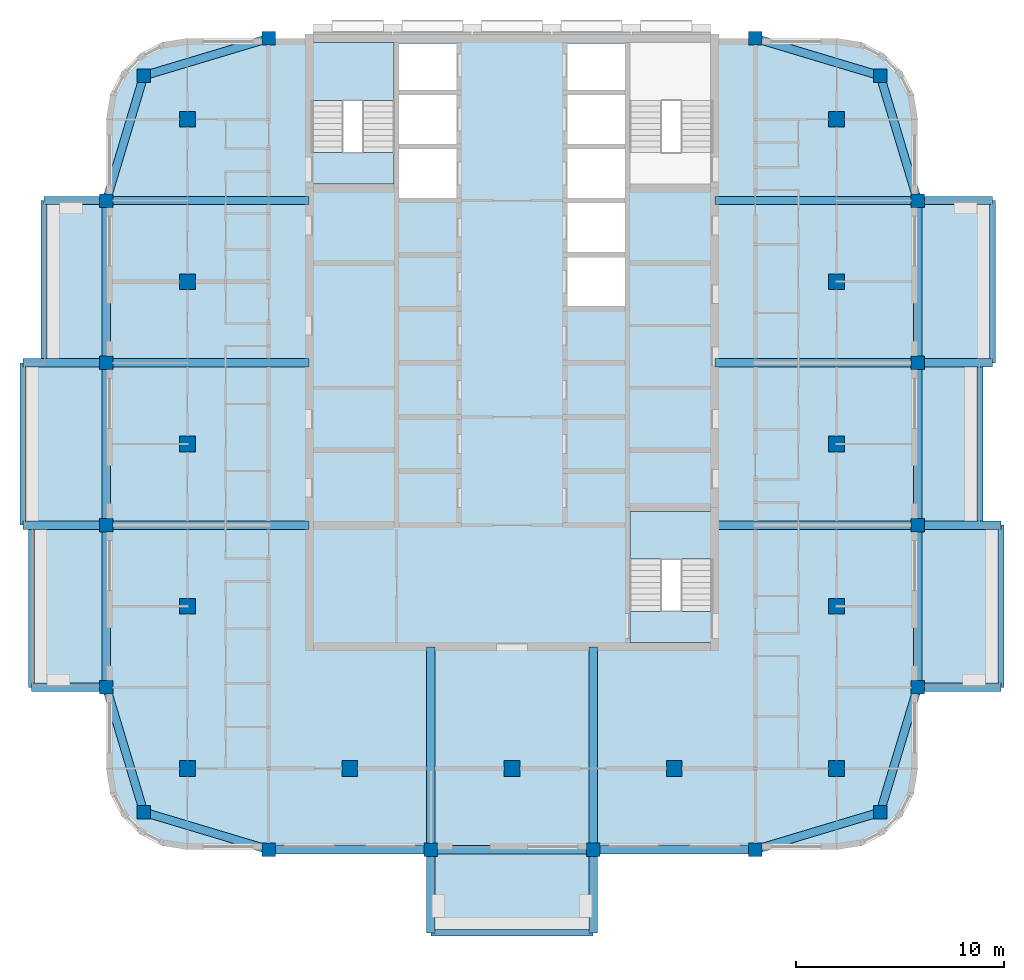
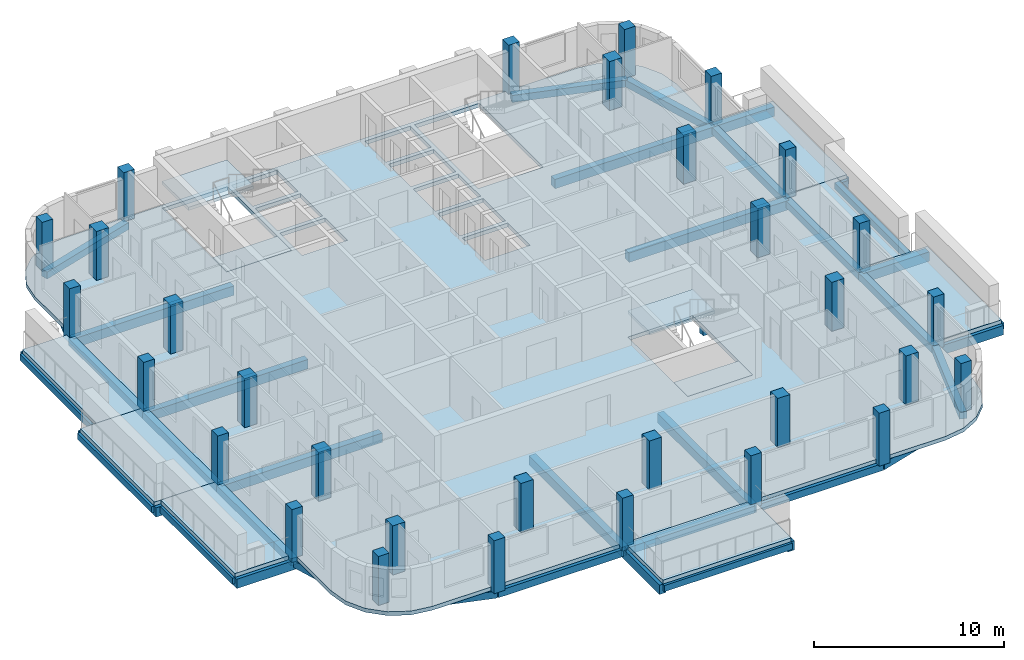
# One storey, part 1 of 13: 42 beams, 31 columns, 12 slabs, 2 elements without a shape of their own.
"""IFC4 building model written with IfcOpenShell, lengths in metres."""

from ifc_helpers import new_model, si_unit, direction, frame, origin, origin_2d, place, context, subcontext, project, spatial, polyline, rectangle, outline, extrude, material, layer, layer_set, material_profile, profile_set, type_object, element, aggregate, save


model = new_model("IFC4")

# Units and contexts
model_context = context("Model", 3, precision=1e-05, world=origin(), true_north=direction((0.0, 1.0)))
body_context = subcontext(model_context, "Body", "Model", "MODEL_VIEW")
ifc_project = project(units=[si_unit("LENGTHUNIT", "METRE"), si_unit("AREAUNIT", "SQUARE_METRE"), si_unit("VOLUMEUNIT", "CUBIC_METRE"), si_unit("PLANEANGLEUNIT", "RADIAN"), si_unit("MASSUNIT", "GRAM", prefix="KILO")], contexts=[model_context])

# Site, building, storey
site_placement = place(None, origin())
site = spatial("IfcSite", under=ifc_project, at=site_placement, CompositionType="ELEMENT")
building_placement = place(site_placement, origin())
building = spatial("IfcBuilding", under=site, at=building_placement, Name="Ludao Terraces", CompositionType="ELEMENT")
storey_placement = place(building_placement, frame((0.0, 0.0, 252.800048828125)))
storey = spatial("IfcBuildingStorey", under=building, at=storey_placement, Name="L69", CompositionType="ELEMENT", Elevation=252.800048828125)

# Columns
ifc_material = material(Name="Concrete C40", Category="concrete")
ifc_material_profile_1 = material_profile(ifc_material, rectangle(XDim=0.64990234375, YDim=0.64990234375, at=origin_2d()), Name="650 X 650")
ifc_profile_set_1 = profile_set([ifc_material_profile_1], Name="Concrete C40")
column_type_1 = type_object("IfcColumnType", Name="RC column 650x650 C40", PredefinedType="COLUMN", material=ifc_profile_set_1)
for number, where, z_axis, x_axis, name in (
    (1, (67.300048828125, 47.300048828125, -0.25), (0.0, 0.0, 1.0), (1.0, 0.0, 0.0), "Column L69 C0057x0057"),
    (2, (102.699951171875, 47.300048828125, -0.25), (0.0, 0.0, 1.0), (1.0, 0.0, 0.0), "Column L69 C0411x0057"),
    (3, (67.300048828125, 82.699951171875, -0.25), (0.0, 0.0, 1.0), (1.0, 0.0, 0.0), "Column L69 C0057x0411"),
    (4, (102.699951171875, 82.699951171875, -0.25), (0.0, 0.0, 1.0), (1.0, 0.0, 0.0), "Column L69 C0411x0411"),
    (5, (65.5, 53.300048828125, -0.25), (0.0, 0.0, 1.0), (1.0, 0.0, 0.0), "Column L69 W0039x0117"),
    (6, (104.5, 53.300048828125, -0.25), (0.0, 0.0, 1.0), (1.0, 0.0, 0.0), "Column L69 W0429x0117"),
    (7, (73.300048828125, 45.5, -0.25), (0.0, 0.0, 1.0), (1.0, 0.0, 0.0), "Column L69 W0117x0039"),
    (8, (73.300048828125, 84.5, -0.25), (0.0, 0.0, 1.0), (1.0, 0.0, 0.0), "Column L69 W0117x0429"),
    (9, (65.5, 61.10009765625, -0.25), (0.0, 0.0, 1.0), (1.0, 0.0, 0.0), "Column L69 W0039x0195"),
    (10, (104.5, 61.10009765625, -0.25), (0.0, 0.0, 1.0), (1.0, 0.0, 0.0), "Column L69 W0429x0195"),
    (11, (81.10009765625, 45.5, -0.25), (0.0, 0.0, 1.0), (1.0, 0.0, 0.0), "Column L69 W0195x0039"),
    (12, (65.5, 68.89990234375, -0.25), (0.0, 0.0, 1.0), (1.0, 0.0, 0.0), "Column L69 W0039x0273"),
    (13, (104.5, 68.89990234375, -0.25), (0.0, 0.0, 1.0), (1.0, 0.0, 0.0), "Column L69 W0429x0273"),
    (14, (88.89990234375, 45.5, -0.25), (0.0, 0.0, 1.0), (1.0, 0.0, 0.0), "Column L69 W0273x0039"),
    (15, (65.5, 76.699951171875, -0.25), (0.0, 0.0, 1.0), (1.0, 0.0, 0.0), "Column L69 W0039x0351"),
    (16, (104.5, 76.699951171875, -0.25), (0.0, 0.0, 1.0), (1.0, 0.0, 0.0), "Column L69 W0429x0351"),
    (17, (96.699951171875, 45.5, -0.25), (0.0, 0.0, 1.0), (1.0, 0.0, 0.0), "Column L69 W0351x0039"),
    (18, (96.699951171875, 84.5, -0.25), (0.0, 0.0, 1.0), (1.0, 0.0, 0.0), "Column L69 W0351x0429"),
):
    element("IfcColumn", number, at=place(storey_placement, frame(where, z_axis=z_axis, x_axis=x_axis)), inside=storey, type_object=column_type_1, Name=name, PredefinedType="COLUMN", context=body_context, shape_type="SweptSolid", body=[
        extrude(rectangle(XDim=0.64990234375, YDim=0.64990234375, at=origin_2d()), origin(), (0.0, 0.0, 1.0), 3.39990234375),
    ])
ifc_material_profile_2 = material_profile(ifc_material, rectangle(XDim=0.75, YDim=0.75, at=origin_2d()), Name="750 X 750")
ifc_profile_set_2 = profile_set([ifc_material_profile_2], Name="Concrete C40")
column_type_2 = type_object("IfcColumnType", Name="RC column 750x750 C40", PredefinedType="COLUMN", material=ifc_profile_set_2)
for number, where, z_axis, x_axis, name in (
    (19, (69.39990234375, 49.39990234375, -0.25), (0.0, 0.0, 1.0), (1.0, 0.0, 0.0), "Column L69 S0078x0078"),
    (20, (69.39990234375, 57.199951171875, -0.25), (0.0, 0.0, 1.0), (1.0, 0.0, 0.0), "Column L69 S0078x0156"),
    (21, (69.39990234375, 65.0, -0.25), (0.0, 0.0, 1.0), (1.0, 0.0, 0.0), "Column L69 S0078x0234"),
    (22, (69.39990234375, 72.800048828125, -0.25), (0.0, 0.0, 1.0), (1.0, 0.0, 0.0), "Column L69 S0078x0312"),
    (23, (69.39990234375, 80.60009765625, -0.25), (0.0, 0.0, 1.0), (1.0, 0.0, 0.0), "Column L69 S0078x0390"),
    (24, (77.199951171875, 49.39990234375, -0.25), (0.0, 0.0, 1.0), (1.0, 0.0, 0.0), "Column L69 S0156x0078"),
    (25, (85.0, 49.39990234375, -0.25), (0.0, 0.0, 1.0), (1.0, 0.0, 0.0), "Column L69 S0234x0078"),
    (26, (92.800048828125, 49.39990234375, -0.25), (0.0, 0.0, 1.0), (1.0, 0.0, 0.0), "Column L69 S0312x0078"),
    (27, (100.60009765625, 49.39990234375, -0.25), (0.0, 0.0, 1.0), (1.0, 0.0, 0.0), "Column L69 S0390x0078"),
    (28, (100.60009765625, 57.199951171875, -0.25), (0.0, 0.0, 1.0), (1.0, 0.0, 0.0), "Column L69 S0390x0156"),
    (29, (100.60009765625, 65.0, -0.25), (0.0, 0.0, 1.0), (1.0, 0.0, 0.0), "Column L69 S0390x0234"),
    (30, (100.60009765625, 72.800048828125, -0.25), (0.0, 0.0, 1.0), (1.0, 0.0, 0.0), "Column L69 S0390x0312"),
    (31, (100.60009765625, 80.60009765625, -0.25), (0.0, 0.0, 1.0), (1.0, 0.0, 0.0), "Column L69 S0390x0390"),
):
    element("IfcColumn", number, at=place(storey_placement, frame(where, z_axis=z_axis, x_axis=x_axis)), inside=storey, type_object=column_type_2, Name=name, PredefinedType="COLUMN", context=body_context, shape_type="SweptSolid", body=[
        extrude(rectangle(XDim=0.75, YDim=0.75, at=origin_2d()), origin(), (0.0, 0.0, 1.0), 3.39990234375),
    ])

# Beams
ifc_material_profile_3 = material_profile(ifc_material, rectangle(XDim=0.300048828125, YDim=0.39990234375, at=origin_2d()), Name="300 X 400")
ifc_profile_set_3 = profile_set([ifc_material_profile_3], Name="Concrete C40")
beam_type_1 = type_object("IfcBeamType", Name="RC beam 300x400 C40", PredefinedType="BEAM", material=ifc_profile_set_3)
beam_1_placement = place(storey_placement, frame((81.10009765625, 41.5, -0.449951171875), z_axis=(1.0, 0.0, 0.0), x_axis=(0.0, 1.0, 0.0)))
element("IfcBeam", 32, at=beam_1_placement, inside=storey, type_object=beam_type_1, Name="Balcony edge beam L69 S1", PredefinedType="BEAM", context=body_context, shape_type="SweptSolid", body=[
    extrude(rectangle(XDim=0.300048828125, YDim=0.39990234375, at=origin_2d()), origin(), (0.0, 0.0, 1.0), 7.7998046875),
])
beam_2_placement = place(storey_placement, frame((108.5, 53.300048828125, -0.449951171875), z_axis=(0.0, 1.0, 0.0), x_axis=(-1.0, 0.0, 0.0)))
element("IfcBeam", 33, at=beam_2_placement, inside=storey, type_object=beam_type_1, Name="Balcony edge beam L69 E1", PredefinedType="BEAM", context=body_context, shape_type="SweptSolid", body=[
    extrude(rectangle(XDim=0.300048828125, YDim=0.39990234375, at=origin_2d()), origin(), (0.0, 0.0, 1.0), 7.800048828125),
])
beam_3_placement = place(storey_placement, frame((107.5, 61.10009765625, -0.449951171875), z_axis=(0.0, 1.0, 0.0), x_axis=(-1.0, 0.0, 0.0)))
element("IfcBeam", 34, at=beam_3_placement, inside=storey, type_object=beam_type_1, Name="Balcony edge beam L69 E2", PredefinedType="BEAM", context=body_context, shape_type="SweptSolid", body=[
    extrude(rectangle(XDim=0.300048828125, YDim=0.39990234375, at=origin_2d()), origin(), (0.0, 0.0, 1.0), 7.7998046875),
])
for number, where, z_axis, x_axis, name in (
    (35, (108.10009765625, 68.89990234375, -0.449951171875), (0.0, 1.0, 0.0), (-1.0, 0.0, 0.0), "Balcony edge beam L69 E3"),
    (36, (61.89990234375, 53.300048828125, -0.449951171875), (0.0, 1.0, 0.0), (-1.0, 0.0, 0.0), "Balcony edge beam L69 W1"),
):
    element("IfcBeam", number, at=place(storey_placement, frame(where, z_axis=z_axis, x_axis=x_axis)), inside=storey, type_object=beam_type_1, Name=name, PredefinedType="BEAM", context=body_context, shape_type="SweptSolid", body=[
        extrude(rectangle(XDim=0.300048828125, YDim=0.39990234375, at=origin_2d()), origin(), (0.0, 0.0, 1.0), 7.800048828125),
    ])
beam_4_placement = place(storey_placement, frame((61.5, 61.10009765625, -0.449951171875), z_axis=(0.0, 1.0, 0.0), x_axis=(-1.0, 0.0, 0.0)))
element("IfcBeam", 37, at=beam_4_placement, inside=storey, type_object=beam_type_1, Name="Balcony edge beam L69 W2", PredefinedType="BEAM", context=body_context, shape_type="SweptSolid", body=[
    extrude(rectangle(XDim=0.300048828125, YDim=0.39990234375, at=origin_2d()), origin(), (0.0, 0.0, 1.0), 7.7998046875),
])
beam_5_placement = place(storey_placement, frame((62.5, 68.89990234375, -0.449951171875), z_axis=(0.0, 1.0, 0.0), x_axis=(-1.0, 0.0, 0.0)))
element("IfcBeam", 38, at=beam_5_placement, inside=storey, type_object=beam_type_1, Name="Balcony edge beam L69 W3", PredefinedType="BEAM", context=body_context, shape_type="SweptSolid", body=[
    extrude(rectangle(XDim=0.300048828125, YDim=0.39990234375, at=origin_2d()), origin(), (0.0, 0.0, 1.0), 7.800048828125),
])
ifc_material_profile_4 = material_profile(ifc_material, rectangle(XDim=0.39990234375, YDim=0.449951171875, at=origin_2d()), Name="400 X 450")
ifc_profile_set_4 = profile_set([ifc_material_profile_4], Name="Concrete C40")
beam_type_2 = type_object("IfcBeamType", Name="RC beam 400x450 C40", PredefinedType="BEAM", material=ifc_profile_set_4)
beam_6_placement = place(storey_placement, frame((67.300048828125, 47.300048828125, -0.47509765625), z_axis=(0.957824139839, -0.287355036744, 0.0), x_axis=(0.287355036744, 0.957824139839, 0.0)))
element("IfcBeam", 39, at=beam_6_placement, inside=storey, type_object=beam_type_2, Name="Spandrel beam L69 S1", PredefinedType="BEAM", context=body_context, shape_type="SweptSolid", body=[
    extrude(rectangle(XDim=0.39990234375, YDim=0.449951171875, at=origin_2d()), origin(), (0.0, 0.0, 1.0), 6.26416015625),
])
beam_7_placement = place(storey_placement, frame((73.300048828125, 45.5, -0.47509765625), z_axis=(1.0, 0.0, 0.0), x_axis=(0.0, 1.0, 0.0)))
element("IfcBeam", 40, at=beam_7_placement, inside=storey, type_object=beam_type_2, Name="Spandrel beam L69 S2", PredefinedType="BEAM", context=body_context, shape_type="SweptSolid", body=[
    extrude(rectangle(XDim=0.39990234375, YDim=0.449951171875, at=origin_2d()), origin(), (0.0, 0.0, 1.0), 7.800048828125),
])
beam_8_placement = place(storey_placement, frame((81.10009765625, 45.5, -0.47509765625), z_axis=(1.0, 0.0, 0.0), x_axis=(0.0, 1.0, 0.0)))
element("IfcBeam", 41, at=beam_8_placement, inside=storey, type_object=beam_type_2, Name="Spandrel beam L69 S3", PredefinedType="BEAM", context=body_context, shape_type="SweptSolid", body=[
    extrude(rectangle(XDim=0.39990234375, YDim=0.449951171875, at=origin_2d()), origin(), (0.0, 0.0, 1.0), 7.7998046875),
])
beam_9_placement = place(storey_placement, frame((88.89990234375, 45.5, -0.47509765625), z_axis=(1.0, 0.0, 0.0), x_axis=(0.0, 1.0, 0.0)))
element("IfcBeam", 42, at=beam_9_placement, inside=storey, type_object=beam_type_2, Name="Spandrel beam L69 S4", PredefinedType="BEAM", context=body_context, shape_type="SweptSolid", body=[
    extrude(rectangle(XDim=0.39990234375, YDim=0.449951171875, at=origin_2d()), origin(), (0.0, 0.0, 1.0), 7.800048828125),
])
for number, where, z_axis, x_axis, name in (
    (43, (96.699951171875, 45.5, -0.47509765625), (0.957824139839, 0.287355036744, 0.0), (-0.287355036744, 0.957824139839, 0.0), "Spandrel beam L69 S5"),
    (44, (67.300048828125, 82.699951171875, -0.47509765625), (0.957824139839, 0.287355036744, 0.0), (-0.287355036744, 0.957824139839, 0.0), "Spandrel beam L69 N6"),
    (45, (96.699951171875, 84.5, -0.47509765625), (0.957824139839, -0.287355036744, 0.0), (0.287355036744, 0.957824139839, 0.0), "Spandrel beam L69 N7"),
    (46, (67.300048828125, 47.300048828125, -0.47509765625), (-0.287355036744, 0.957824139839, 0.0), (-0.957824139839, -0.287355036744, 0.0), "Spandrel beam L69 W8"),
):
    element("IfcBeam", number, at=place(storey_placement, frame(where, z_axis=z_axis, x_axis=x_axis)), inside=storey, type_object=beam_type_2, Name=name, PredefinedType="BEAM", context=body_context, shape_type="SweptSolid", body=[
        extrude(rectangle(XDim=0.39990234375, YDim=0.449951171875, at=origin_2d()), origin(), (0.0, 0.0, 1.0), 6.26416015625),
    ])
beam_10_placement = place(storey_placement, frame((65.5, 53.300048828125, -0.47509765625), z_axis=(0.0, 1.0, 0.0), x_axis=(-1.0, 0.0, 0.0)))
element("IfcBeam", 47, at=beam_10_placement, inside=storey, type_object=beam_type_2, Name="Spandrel beam L69 W9", PredefinedType="BEAM", context=body_context, shape_type="SweptSolid", body=[
    extrude(rectangle(XDim=0.39990234375, YDim=0.449951171875, at=origin_2d()), origin(), (0.0, 0.0, 1.0), 7.800048828125),
])
beam_11_placement = place(storey_placement, frame((65.5, 61.10009765625, -0.47509765625), z_axis=(0.0, 1.0, 0.0), x_axis=(-1.0, 0.0, 0.0)))
element("IfcBeam", 48, at=beam_11_placement, inside=storey, type_object=beam_type_2, Name="Spandrel beam L69 W10", PredefinedType="BEAM", context=body_context, shape_type="SweptSolid", body=[
    extrude(rectangle(XDim=0.39990234375, YDim=0.449951171875, at=origin_2d()), origin(), (0.0, 0.0, 1.0), 7.7998046875),
])
beam_12_placement = place(storey_placement, frame((65.5, 68.89990234375, -0.47509765625), z_axis=(0.0, 1.0, 0.0), x_axis=(-1.0, 0.0, 0.0)))
element("IfcBeam", 49, at=beam_12_placement, inside=storey, type_object=beam_type_2, Name="Spandrel beam L69 W11", PredefinedType="BEAM", context=body_context, shape_type="SweptSolid", body=[
    extrude(rectangle(XDim=0.39990234375, YDim=0.449951171875, at=origin_2d()), origin(), (0.0, 0.0, 1.0), 7.800048828125),
])
for number, where, z_axis, x_axis, name in (
    (50, (65.5, 76.699951171875, -0.47509765625), (0.287355036744, 0.957824139839, 0.0), (-0.957824139839, 0.287355036744, 0.0), "Spandrel beam L69 W12"),
    (51, (102.699951171875, 47.300048828125, -0.47509765625), (0.287355036744, 0.957824139839, 0.0), (-0.957824139839, 0.287355036744, 0.0), "Spandrel beam L69 E13"),
):
    element("IfcBeam", number, at=place(storey_placement, frame(where, z_axis=z_axis, x_axis=x_axis)), inside=storey, type_object=beam_type_2, Name=name, PredefinedType="BEAM", context=body_context, shape_type="SweptSolid", body=[
        extrude(rectangle(XDim=0.39990234375, YDim=0.449951171875, at=origin_2d()), origin(), (0.0, 0.0, 1.0), 6.26416015625),
    ])
beam_13_placement = place(storey_placement, frame((104.5, 53.300048828125, -0.47509765625), z_axis=(0.0, 1.0, 0.0), x_axis=(-1.0, 0.0, 0.0)))
element("IfcBeam", 52, at=beam_13_placement, inside=storey, type_object=beam_type_2, Name="Spandrel beam L69 E14", PredefinedType="BEAM", context=body_context, shape_type="SweptSolid", body=[
    extrude(rectangle(XDim=0.39990234375, YDim=0.449951171875, at=origin_2d()), origin(), (0.0, 0.0, 1.0), 7.800048828125),
])
beam_14_placement = place(storey_placement, frame((104.5, 61.10009765625, -0.47509765625), z_axis=(0.0, 1.0, 0.0), x_axis=(-1.0, 0.0, 0.0)))
element("IfcBeam", 53, at=beam_14_placement, inside=storey, type_object=beam_type_2, Name="Spandrel beam L69 E15", PredefinedType="BEAM", context=body_context, shape_type="SweptSolid", body=[
    extrude(rectangle(XDim=0.39990234375, YDim=0.449951171875, at=origin_2d()), origin(), (0.0, 0.0, 1.0), 7.7998046875),
])
beam_15_placement = place(storey_placement, frame((104.5, 68.89990234375, -0.47509765625), z_axis=(0.0, 1.0, 0.0), x_axis=(-1.0, 0.0, 0.0)))
element("IfcBeam", 54, at=beam_15_placement, inside=storey, type_object=beam_type_2, Name="Spandrel beam L69 E16", PredefinedType="BEAM", context=body_context, shape_type="SweptSolid", body=[
    extrude(rectangle(XDim=0.39990234375, YDim=0.449951171875, at=origin_2d()), origin(), (0.0, 0.0, 1.0), 7.800048828125),
])
beam_16_placement = place(storey_placement, frame((104.5, 76.699951171875, -0.47509765625), z_axis=(-0.287355036744, 0.957824139839, 0.0), x_axis=(-0.957824139839, -0.287355036744, 0.0)))
element("IfcBeam", 55, at=beam_16_placement, inside=storey, type_object=beam_type_2, Name="Spandrel beam L69 E17", PredefinedType="BEAM", context=body_context, shape_type="SweptSolid", body=[
    extrude(rectangle(XDim=0.39990234375, YDim=0.449951171875, at=origin_2d()), origin(), (0.0, 0.0, 1.0), 6.26416015625),
])
ifc_material_profile_5 = material_profile(ifc_material, rectangle(XDim=0.39990234375, YDim=0.60009765625, at=origin_2d()), Name="400 X 600")
ifc_profile_set_5 = profile_set([ifc_material_profile_5], Name="Concrete C40")
beam_type_3 = type_object("IfcBeamType", Name="RC beam 400x600 C40", PredefinedType="BEAM", material=ifc_profile_set_5)
beam_17_placement = place(storey_placement, frame((104.5, 53.300048828125, -0.550048828125), z_axis=(1.0, 0.0, 0.0), x_axis=(0.0, 1.0, 0.0)))
element("IfcBeam", 56, at=beam_17_placement, inside=storey, type_object=beam_type_3, Name="Balcony beam L69 E533", PredefinedType="BEAM", context=body_context, shape_type="SweptSolid", body=[
    extrude(rectangle(XDim=0.39990234375, YDim=0.60009765625, at=origin_2d()), origin(), (0.0, 0.0, 1.0), 4.0),
])
beam_18_placement = place(storey_placement, frame((94.75, 61.10009765625, -0.550048828125), z_axis=(1.0, 0.0, 0.0), x_axis=(0.0, 1.0, 0.0)))
element("IfcBeam", 57, at=beam_18_placement, inside=storey, type_object=beam_type_3, Name="Balcony beam L69 E611", PredefinedType="BEAM", context=body_context, shape_type="SweptSolid", body=[
    extrude(rectangle(XDim=0.39990234375, YDim=0.60009765625, at=origin_2d()), origin(), (0.0, 0.0, 1.0), 9.75),
])
beam_19_placement = place(storey_placement, frame((104.5, 61.10009765625, -0.550048828125), z_axis=(1.0, 0.0, 0.0), x_axis=(0.0, 1.0, 0.0)))
element("IfcBeam", 58, at=beam_19_placement, inside=storey, type_object=beam_type_3, Name="Balcony beam L69 E611", PredefinedType="BEAM", context=body_context, shape_type="SweptSolid", body=[
    extrude(rectangle(XDim=0.39990234375, YDim=0.60009765625, at=origin_2d()), origin(), (0.0, 0.0, 1.0), 4.0),
])
beam_20_placement = place(storey_placement, frame((94.75, 68.89990234375, -0.550048828125), z_axis=(1.0, 0.0, 0.0), x_axis=(0.0, 1.0, 0.0)))
element("IfcBeam", 59, at=beam_20_placement, inside=storey, type_object=beam_type_3, Name="Balcony beam L69 E689", PredefinedType="BEAM", context=body_context, shape_type="SweptSolid", body=[
    extrude(rectangle(XDim=0.39990234375, YDim=0.60009765625, at=origin_2d()), origin(), (0.0, 0.0, 1.0), 9.75),
])
beam_21_placement = place(storey_placement, frame((104.5, 68.89990234375, -0.550048828125), z_axis=(1.0, 0.0, 0.0), x_axis=(0.0, 1.0, 0.0)))
element("IfcBeam", 60, at=beam_21_placement, inside=storey, type_object=beam_type_3, Name="Balcony beam L69 E689", PredefinedType="BEAM", context=body_context, shape_type="SweptSolid", body=[
    extrude(rectangle(XDim=0.39990234375, YDim=0.60009765625, at=origin_2d()), origin(), (0.0, 0.0, 1.0), 3.60009765625),
])
beam_22_placement = place(storey_placement, frame((94.75, 76.699951171875, -0.550048828125), z_axis=(1.0, 0.0, 0.0), x_axis=(0.0, 1.0, 0.0)))
element("IfcBeam", 61, at=beam_22_placement, inside=storey, type_object=beam_type_3, Name="Balcony beam L69 E767", PredefinedType="BEAM", context=body_context, shape_type="SweptSolid", body=[
    extrude(rectangle(XDim=0.39990234375, YDim=0.60009765625, at=origin_2d()), origin(), (0.0, 0.0, 1.0), 9.75),
])
beam_23_placement = place(storey_placement, frame((104.5, 76.699951171875, -0.550048828125), z_axis=(1.0, 0.0, 0.0), x_axis=(0.0, 1.0, 0.0)))
element("IfcBeam", 62, at=beam_23_placement, inside=storey, type_object=beam_type_3, Name="Balcony beam L69 E767", PredefinedType="BEAM", context=body_context, shape_type="SweptSolid", body=[
    extrude(rectangle(XDim=0.39990234375, YDim=0.60009765625, at=origin_2d()), origin(), (0.0, 0.0, 1.0), 3.60009765625),
])
beam_24_placement = place(storey_placement, frame((81.10009765625, 55.25, -0.550048828125), z_axis=(0.0, -1.0, 0.0), x_axis=(1.0, 0.0, 0.0)))
element("IfcBeam", 63, at=beam_24_placement, inside=storey, type_object=beam_type_3, Name="Balcony beam L69 S811", PredefinedType="BEAM", context=body_context, shape_type="SweptSolid", body=[
    extrude(rectangle(XDim=0.39990234375, YDim=0.60009765625, at=origin_2d()), origin(), (0.0, 0.0, 1.0), 9.75),
])
beam_25_placement = place(storey_placement, frame((81.10009765625, 45.5, -0.550048828125), z_axis=(0.0, -1.0, 0.0), x_axis=(1.0, 0.0, 0.0)))
element("IfcBeam", 64, at=beam_25_placement, inside=storey, type_object=beam_type_3, Name="Balcony beam L69 S811", PredefinedType="BEAM", context=body_context, shape_type="SweptSolid", body=[
    extrude(rectangle(XDim=0.39990234375, YDim=0.60009765625, at=origin_2d()), origin(), (0.0, 0.0, 1.0), 4.0),
])
beam_26_placement = place(storey_placement, frame((88.89990234375, 55.25, -0.550048828125), z_axis=(0.0, -1.0, 0.0), x_axis=(1.0, 0.0, 0.0)))
element("IfcBeam", 65, at=beam_26_placement, inside=storey, type_object=beam_type_3, Name="Balcony beam L69 S889", PredefinedType="BEAM", context=body_context, shape_type="SweptSolid", body=[
    extrude(rectangle(XDim=0.39990234375, YDim=0.60009765625, at=origin_2d()), origin(), (0.0, 0.0, 1.0), 9.75),
])
beam_27_placement = place(storey_placement, frame((88.89990234375, 45.5, -0.550048828125), z_axis=(0.0, -1.0, 0.0), x_axis=(1.0, 0.0, 0.0)))
element("IfcBeam", 66, at=beam_27_placement, inside=storey, type_object=beam_type_3, Name="Balcony beam L69 S889", PredefinedType="BEAM", context=body_context, shape_type="SweptSolid", body=[
    extrude(rectangle(XDim=0.39990234375, YDim=0.60009765625, at=origin_2d()), origin(), (0.0, 0.0, 1.0), 4.0),
])
beam_28_placement = place(storey_placement, frame((65.5, 53.300048828125, -0.550048828125), z_axis=(-1.0, 0.0, 0.0), x_axis=(0.0, -1.0, 0.0)))
element("IfcBeam", 67, at=beam_28_placement, inside=storey, type_object=beam_type_3, Name="Balcony beam L69 W533", PredefinedType="BEAM", context=body_context, shape_type="SweptSolid", body=[
    extrude(rectangle(XDim=0.39990234375, YDim=0.60009765625, at=origin_2d()), origin(), (0.0, 0.0, 1.0), 3.60009765625),
])
beam_29_placement = place(storey_placement, frame((75.25, 61.10009765625, -0.550048828125), z_axis=(-1.0, 0.0, 0.0), x_axis=(0.0, -1.0, 0.0)))
element("IfcBeam", 68, at=beam_29_placement, inside=storey, type_object=beam_type_3, Name="Balcony beam L69 W611", PredefinedType="BEAM", context=body_context, shape_type="SweptSolid", body=[
    extrude(rectangle(XDim=0.39990234375, YDim=0.60009765625, at=origin_2d()), origin(), (0.0, 0.0, 1.0), 9.75),
])
beam_30_placement = place(storey_placement, frame((65.5, 61.10009765625, -0.550048828125), z_axis=(-1.0, 0.0, 0.0), x_axis=(0.0, -1.0, 0.0)))
element("IfcBeam", 69, at=beam_30_placement, inside=storey, type_object=beam_type_3, Name="Balcony beam L69 W611", PredefinedType="BEAM", context=body_context, shape_type="SweptSolid", body=[
    extrude(rectangle(XDim=0.39990234375, YDim=0.60009765625, at=origin_2d()), origin(), (0.0, 0.0, 1.0), 4.0),
])
beam_31_placement = place(storey_placement, frame((75.25, 68.89990234375, -0.550048828125), z_axis=(-1.0, 0.0, 0.0), x_axis=(0.0, -1.0, 0.0)))
element("IfcBeam", 70, at=beam_31_placement, inside=storey, type_object=beam_type_3, Name="Balcony beam L69 W689", PredefinedType="BEAM", context=body_context, shape_type="SweptSolid", body=[
    extrude(rectangle(XDim=0.39990234375, YDim=0.60009765625, at=origin_2d()), origin(), (0.0, 0.0, 1.0), 9.75),
])
beam_32_placement = place(storey_placement, frame((65.5, 68.89990234375, -0.550048828125), z_axis=(-1.0, 0.0, 0.0), x_axis=(0.0, -1.0, 0.0)))
element("IfcBeam", 71, at=beam_32_placement, inside=storey, type_object=beam_type_3, Name="Balcony beam L69 W689", PredefinedType="BEAM", context=body_context, shape_type="SweptSolid", body=[
    extrude(rectangle(XDim=0.39990234375, YDim=0.60009765625, at=origin_2d()), origin(), (0.0, 0.0, 1.0), 4.0),
])
beam_33_placement = place(storey_placement, frame((75.25, 76.699951171875, -0.550048828125), z_axis=(-1.0, 0.0, 0.0), x_axis=(0.0, -1.0, 0.0)))
element("IfcBeam", 72, at=beam_33_placement, inside=storey, type_object=beam_type_3, Name="Balcony beam L69 W767", PredefinedType="BEAM", context=body_context, shape_type="SweptSolid", body=[
    extrude(rectangle(XDim=0.39990234375, YDim=0.60009765625, at=origin_2d()), origin(), (0.0, 0.0, 1.0), 9.75),
])
beam_34_placement = place(storey_placement, frame((65.5, 76.699951171875, -0.550048828125), z_axis=(-1.0, 0.0, 0.0), x_axis=(0.0, -1.0, 0.0)))
element("IfcBeam", 73, at=beam_34_placement, inside=storey, type_object=beam_type_3, Name="Balcony beam L69 W767", PredefinedType="BEAM", context=body_context, shape_type="SweptSolid", body=[
    extrude(rectangle(XDim=0.39990234375, YDim=0.60009765625, at=origin_2d()), origin(), (0.0, 0.0, 1.0), 3.0),
])

# Slabs
ifc_layer_1 = layer(ifc_material, 0.25)
ifc_layer_set_1 = layer_set([ifc_layer_1], Name="Balcony slab 250 C40")
slab_type_1 = type_object("IfcSlabType", Name="Balcony slab 250 C40", PredefinedType="USERDEFINED", material=ifc_layer_set_1)
slab_1_placement = place(storey_placement, frame((0.0, 0.0, -0.25)))
element("IfcSlab", 74, at=slab_1_placement, inside=storey, type_object=slab_type_1, Name="Balcony L69 S1", ObjectType="BALCONY", PredefinedType="USERDEFINED", context=body_context, shape_type="SweptSolid", body=[
    extrude(outline(polyline([(81.10009765625, 41.5), (88.89990234375, 41.5), (88.89990234375, 45.5), (81.10009765625, 45.5), (81.10009765625, 41.5)])), origin(), (0.0, 0.0, 1.0), 0.25),
])
slab_2_placement = place(storey_placement, frame((0.0, 0.0, -0.25)))
element("IfcSlab", 75, at=slab_2_placement, inside=storey, type_object=slab_type_1, Name="Balcony L69 E1", ObjectType="BALCONY", PredefinedType="USERDEFINED", context=body_context, shape_type="SweptSolid", body=[
    extrude(outline(polyline([(104.5, 53.300048828125), (108.5, 53.300048828125), (108.5, 61.10009765625), (104.5, 61.10009765625), (104.5, 53.300048828125)])), origin(), (0.0, 0.0, 1.0), 0.25),
])
slab_3_placement = place(storey_placement, frame((0.0, 0.0, -0.25)))
element("IfcSlab", 76, at=slab_3_placement, inside=storey, type_object=slab_type_1, Name="Balcony L69 E2", ObjectType="BALCONY", PredefinedType="USERDEFINED", context=body_context, shape_type="SweptSolid", body=[
    extrude(outline(polyline([(104.5, 61.10009765625), (107.5, 61.10009765625), (107.5, 68.89990234375), (104.5, 68.89990234375), (104.5, 61.10009765625)])), origin(), (0.0, 0.0, 1.0), 0.25),
])
slab_4_placement = place(storey_placement, frame((0.0, 0.0, -0.25)))
element("IfcSlab", 77, at=slab_4_placement, inside=storey, type_object=slab_type_1, Name="Balcony L69 E3", ObjectType="BALCONY", PredefinedType="USERDEFINED", context=body_context, shape_type="SweptSolid", body=[
    extrude(outline(polyline([(104.5, 68.89990234375), (108.10009765625, 68.89990234375), (108.10009765625, 76.699951171875), (104.5, 76.699951171875), (104.5, 68.89990234375)])), origin(), (0.0, 0.0, 1.0), 0.25),
])
slab_5_placement = place(storey_placement, frame((0.0, 0.0, -0.25)))
element("IfcSlab", 78, at=slab_5_placement, inside=storey, type_object=slab_type_1, Name="Balcony L69 W1", ObjectType="BALCONY", PredefinedType="USERDEFINED", context=body_context, shape_type="SweptSolid", body=[
    extrude(outline(polyline([(61.89990234375, 53.300048828125), (65.5, 53.300048828125), (65.5, 61.10009765625), (61.89990234375, 61.10009765625), (61.89990234375, 53.300048828125)])), origin(), (0.0, 0.0, 1.0), 0.25),
])
slab_6_placement = place(storey_placement, frame((0.0, 0.0, -0.25)))
element("IfcSlab", 79, at=slab_6_placement, inside=storey, type_object=slab_type_1, Name="Balcony L69 W2", ObjectType="BALCONY", PredefinedType="USERDEFINED", context=body_context, shape_type="SweptSolid", body=[
    extrude(outline(polyline([(61.5, 61.10009765625), (65.5, 61.10009765625), (65.5, 68.89990234375), (61.5, 68.89990234375), (61.5, 61.10009765625)])), origin(), (0.0, 0.0, 1.0), 0.25),
])
slab_7_placement = place(storey_placement, frame((0.0, 0.0, -0.25)))
element("IfcSlab", 80, at=slab_7_placement, inside=storey, type_object=slab_type_1, Name="Balcony L69 W3", ObjectType="BALCONY", PredefinedType="USERDEFINED", context=body_context, shape_type="SweptSolid", body=[
    extrude(outline(polyline([(62.5, 68.89990234375), (65.5, 68.89990234375), (65.5, 76.699951171875), (62.5, 76.699951171875), (62.5, 68.89990234375)])), origin(), (0.0, 0.0, 1.0), 0.25),
])
ifc_layer_2 = layer(ifc_material, 0.25)
ifc_layer_set_2 = layer_set([ifc_layer_2], Name="Floor slab 250 C40")
slab_type_2 = type_object("IfcSlabType", Name="Floor slab 250 C40", PredefinedType="FLOOR", material=ifc_layer_set_2)
slab_8_placement = place(storey_placement, frame((0.0, 0.0, -0.25)))
element("IfcSlab", 81, at=slab_8_placement, inside=storey, type_object=slab_type_2, Name="Slab L69", PredefinedType="FLOOR", context=body_context, shape_type="SweptSolid", body=[
    extrude(outline(polyline([(100.60009765625, 45.5), (101.80517578125, 45.69091796875), (102.892333984375, 46.244873046875), (103.755126953125, 47.107666015625), (104.30908203125, 48.19482421875), (104.5, 49.39990234375), (104.5, 80.60009765625), (104.30908203125, 81.80517578125), (103.755126953125, 82.892333984375), (102.892333984375, 83.755126953125), (101.80517578125, 84.30908203125), (100.60009765625, 84.5), (69.39990234375, 84.5), (68.19482421875, 84.30908203125), (67.107666015625, 83.755126953125), (66.244873046875, 82.892333984375), (65.69091796875, 81.80517578125), (65.5, 80.60009765625), (65.5, 49.39990234375), (65.69091796875, 48.19482421875), (66.244873046875, 47.107666015625), (67.107666015625, 46.244873046875), (68.19482421875, 45.69091796875), (69.39990234375, 45.5), (100.60009765625, 45.5)]), holes=[polyline([(79.574951171875, 76.824951171875), (82.324951171875, 76.824951171875), (82.324951171875, 79.175048828125), (79.574951171875, 79.175048828125), (79.574951171875, 76.824951171875)]), polyline([(79.574951171875, 79.425048828125), (82.324951171875, 79.425048828125), (82.324951171875, 81.77490234375), (79.574951171875, 81.77490234375), (79.574951171875, 79.425048828125)]), polyline([(79.574951171875, 82.02490234375), (82.324951171875, 82.02490234375), (82.324951171875, 84.239990234375), (79.574951171875, 84.239990234375), (79.574951171875, 82.02490234375)]), polyline([(87.675048828125, 71.625), (90.425048828125, 71.625), (90.425048828125, 73.97509765625), (87.675048828125, 73.97509765625), (87.675048828125, 71.625)]), polyline([(87.675048828125, 74.22509765625), (90.425048828125, 74.22509765625), (90.425048828125, 76.574951171875), (87.675048828125, 76.574951171875), (87.675048828125, 74.22509765625)]), polyline([(87.675048828125, 76.824951171875), (90.425048828125, 76.824951171875), (90.425048828125, 79.175048828125), (87.675048828125, 79.175048828125), (87.675048828125, 76.824951171875)]), polyline([(87.675048828125, 79.425048828125), (90.425048828125, 79.425048828125), (90.425048828125, 81.77490234375), (87.675048828125, 81.77490234375), (87.675048828125, 79.425048828125)]), polyline([(87.675048828125, 82.02490234375), (90.425048828125, 82.02490234375), (90.425048828125, 84.239990234375), (87.675048828125, 84.239990234375), (87.675048828125, 82.02490234375)]), polyline([(75.375, 77.5), (79.324951171875, 77.5), (79.324951171875, 84.239990234375), (75.375, 84.239990234375), (75.375, 77.5)]), polyline([(90.675048828125, 77.5), (94.625, 77.5), (94.625, 84.239990234375), (90.675048828125, 84.239990234375), (90.675048828125, 77.5)]), polyline([(90.675048828125, 55.449951171875), (94.625, 55.449951171875), (94.625, 61.75), (90.675048828125, 61.75), (90.675048828125, 55.449951171875)])]), origin(), (0.0, 0.0, 1.0), 0.25),
])

# Stair, slabs
stair_type = type_object("IfcStairType", Name="INT Stair", PredefinedType="HALF_TURN_STAIR", material=ifc_material)
stair_1_placement = place(storey_placement, origin())
stair_1 = element("IfcStair", 82, at=stair_1_placement, inside=storey, type_object=stair_type, Name="EXIT STAIR 1", PredefinedType="HALF_TURN_STAIR")
ifc_layer_3 = layer(ifc_material, 0.199951171875)
ifc_layer_set_3 = layer_set([ifc_layer_3], Name="INT Stair landing 200")
slab_type_3 = type_object("IfcSlabType", Name="INT Stair landing 200", PredefinedType="LANDING", material=ifc_layer_set_3)
slab_9_placement = place(storey_placement, frame((0.0, 0.0, 1.5)))
slab_9 = element("IfcSlab", 83, at=slab_9_placement, type_object=slab_type_3, Name="ST1 landing 1", PredefinedType="LANDING", context=body_context, shape_type="SweptSolid", body=[
    extrude(outline(polyline([(75.375, 81.52001953125), (79.324951171875, 81.52001953125), (79.324951171875, 84.300048828125), (75.375, 84.300048828125), (75.375, 81.52001953125)])), origin(), (0.0, 0.0, 1.0), 0.199951171875),
])
slab_10_placement = place(storey_placement, frame((0.0, 0.0, -0.199951171875)))
slab_10 = element("IfcSlab", 84, at=slab_10_placement, type_object=slab_type_3, Name="ST1 landing 2", PredefinedType="LANDING", context=body_context, shape_type="SweptSolid", body=[
    extrude(outline(polyline([(75.375, 77.5), (79.324951171875, 77.5), (79.324951171875, 79.0), (75.375, 79.0), (75.375, 77.5)])), origin(), (0.0, 0.0, 1.0), 0.199951171875),
])
aggregate(stair_1, [slab_9, slab_10])

stair_2_placement = place(storey_placement, origin())
stair_2 = element("IfcStair", 85, at=stair_2_placement, inside=storey, type_object=stair_type, Name="EXIT STAIR 3", PredefinedType="HALF_TURN_STAIR")
slab_11_placement = place(storey_placement, frame((0.0, 0.0, 1.5)))
slab_11 = element("IfcSlab", 86, at=slab_11_placement, type_object=slab_type_3, Name="ST3 landing 1", PredefinedType="LANDING", context=body_context, shape_type="SweptSolid", body=[
    extrude(outline(polyline([(90.675048828125, 59.469970703125), (94.625, 59.469970703125), (94.625, 61.75), (90.675048828125, 61.75), (90.675048828125, 59.469970703125)])), origin(), (0.0, 0.0, 1.0), 0.199951171875),
])
slab_12_placement = place(storey_placement, frame((0.0, 0.0, -0.199951171875)))
slab_12 = element("IfcSlab", 87, at=slab_12_placement, type_object=slab_type_3, Name="ST3 landing 2", PredefinedType="LANDING", context=body_context, shape_type="SweptSolid", body=[
    extrude(outline(polyline([(90.675048828125, 55.449951171875), (94.625, 55.449951171875), (94.625, 56.949951171875), (90.675048828125, 56.949951171875), (90.675048828125, 55.449951171875)])), origin(), (0.0, 0.0, 1.0), 0.199951171875),
])
aggregate(stair_2, [slab_11, slab_12])

save(model, "model.ifc")
